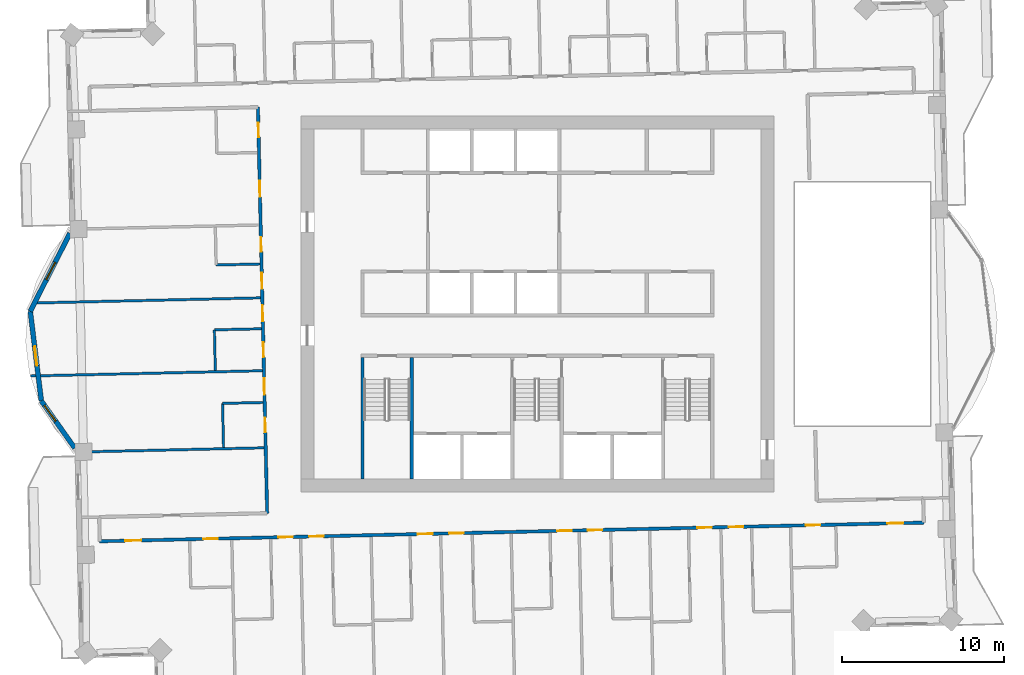
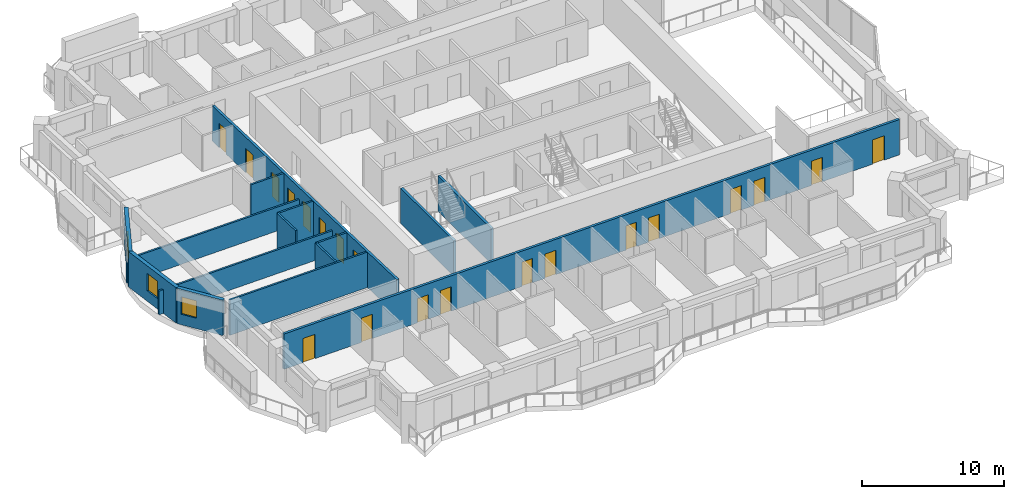
# One storey, part 7 of 17: 20 doors, 15 walls, 3 windows, 23 openings.
"""IFC4 building model written with IfcOpenShell, lengths in metres."""

from ifc_helpers import new_model, si_unit, direction, frame, frame_2d, origin, place, context, subcontext, project, spatial, rectangle, extrude, material, layer, layer_set, type_object, element, fill, save


model = new_model("IFC4")

# Units and contexts
model_context = context("Model", 3, precision=1e-05, world=origin(), true_north=direction((0.0, 1.0)))
body_context = subcontext(model_context, "Body", "Model", "MODEL_VIEW")
ifc_project = project(units=[si_unit("LENGTHUNIT", "METRE"), si_unit("AREAUNIT", "SQUARE_METRE"), si_unit("VOLUMEUNIT", "CUBIC_METRE"), si_unit("PLANEANGLEUNIT", "RADIAN"), si_unit("MASSUNIT", "GRAM", prefix="KILO")], contexts=[model_context])

# Site, building, storey
site_placement = place(None, origin())
site = spatial("IfcSite", under=ifc_project, at=site_placement, CompositionType="ELEMENT")
building_placement = place(site_placement, origin())
building = spatial("IfcBuilding", under=site, at=building_placement, Name="Mangrove Gate Tower", CompositionType="ELEMENT")
storey_placement = place(building_placement, frame((0.0, 0.0, 249.10009765625)))
storey = spatial("IfcBuildingStorey", under=building, at=storey_placement, Name="L63", CompositionType="ELEMENT", Elevation=249.10009765625)

# Walls
ifc_material_1 = material(Name="Concrete C60/75", Category="concrete")
ifc_layer_1 = layer(ifc_material_1, 0.199951171875)
ifc_layer_set_1 = layer_set([ifc_layer_1], Name="Core stair wall 200 C60/75")
wall_type_1 = type_object("IfcWallType", Name="Core stair wall 200 C60/75", PredefinedType="SHEAR", material=ifc_layer_set_1)
for number, where, z_axis, x_axis, name in (
    (1, (-10.800048828125, -10.800048828125, 0.0), (0.0, 0.0, 1.0), (0.0, 1.0, 0.0), "WALL-L63-CORE-9"),
    (2, (-7.75, -10.800048828125, 0.0), (0.0, 0.0, 1.0), (0.0, 1.0, 0.0), "WALL-L63-CORE-10"),
):
    element("IfcWall", number, at=place(storey_placement, frame(where, z_axis=z_axis, x_axis=x_axis)), inside=storey, type_object=wall_type_1, Name=name, PredefinedType="SHEAR", context=body_context, shape_type="SweptSolid", body=[
        extrude(rectangle(XDim=7.5, YDim=0.199951171875, at=frame_2d((3.75, 0.0))), origin(), (0.0, 0.0, 1.0), 3.0498046875),
    ])

# Wall, openings, doors
ifc_material_2 = material(Name="Gypsum board on steel stud, EI 60", Category="steel")
ifc_layer_2 = layer(ifc_material_2, 0.199951171875)
ifc_layer_set_2 = layer_set([ifc_layer_2], Name="Corridor wall EI 60")
wall_type_2 = type_object("IfcWallType", Name="Corridor wall EI 60", PredefinedType="PARTITIONING", material=ifc_layer_set_2)
wall_1_placement = place(storey_placement, frame((-27.01611328125, -14.64990234375, 0.0), z_axis=(0.0, 0.0, 1.0), x_axis=(0.999742874861, 0.022675629315, 0.0)))
wall_1 = element("IfcWall", 3, at=wall_1_placement, inside=storey, type_object=wall_type_2, Name="WALL-L63-032", PredefinedType="PARTITIONING", context=body_context, shape_type="SweptSolid", body=[
    extrude(rectangle(XDim=50.88330078125, YDim=0.199951171875, at=frame_2d((25.441650390625, 0.0))), origin(), (0.0, 0.0, 1.0), 3.0498046875),
])
opening_1_placement = place(wall_1_placement, frame((1.574951171875, 0.0, 0.0)))
opening_1 = element("IfcOpeningElement", 4, at=opening_1_placement, cuts=wall_1, Name="Opening AD", PredefinedType="OPENING", context=body_context, shape_type="SweptSolid", body=[
    extrude(rectangle(XDim=1.0, YDim=2.10009765625, at=frame_2d((0.5, 1.050048828125))), frame((0.0, 0.10986328125, 0.0), z_axis=(0.0, -1.0, 0.0), x_axis=(1.0, 0.0, 0.0)), (0.0, 0.0, 1.0), 0.219970703125),
])
opening_2_placement = place(wall_1_placement, frame((6.39990234375, 0.0, 0.0)))
opening_2 = element("IfcOpeningElement", 5, at=opening_2_placement, cuts=wall_1, Name="Opening SD", PredefinedType="OPENING", context=body_context, shape_type="SweptSolid", body=[
    extrude(rectangle(XDim=0.89990234375, YDim=2.10009765625, at=frame_2d((0.449951171875, 1.050048828125))), frame((0.0, 0.10986328125, 0.0), z_axis=(0.0, -1.0, 0.0), x_axis=(1.0, 0.0, 0.0)), (0.0, 0.0, 1.0), 0.219970703125),
])
opening_3_placement = place(wall_1_placement, frame((11.02490234375, 0.0, 0.0)))
opening_3 = element("IfcOpeningElement", 6, at=opening_3_placement, cuts=wall_1, Name="Opening BD", PredefinedType="OPENING", context=body_context, shape_type="SweptSolid", body=[
    extrude(rectangle(XDim=0.89990234375, YDim=2.10009765625, at=frame_2d((0.449951171875, 1.050048828125))), frame((0.0, 0.10986328125, 0.0), z_axis=(0.0, -1.0, 0.0), x_axis=(1.0, 0.0, 0.0)), (0.0, 0.0, 1.0), 0.219970703125),
])
opening_4_placement = place(wall_1_placement, frame((12.925048828125, 0.0, 0.0)))
opening_4 = element("IfcOpeningElement", 7, at=opening_4_placement, cuts=wall_1, Name="Opening BD", PredefinedType="OPENING", context=body_context, shape_type="SweptSolid", body=[
    extrude(rectangle(XDim=0.89990234375, YDim=2.10009765625, at=frame_2d((0.449951171875, 1.050048828125))), frame((0.0, 0.10986328125, 0.0), z_axis=(0.0, -1.0, 0.0), x_axis=(1.0, 0.0, 0.0)), (0.0, 0.0, 1.0), 0.219970703125),
])
opening_5_placement = place(wall_1_placement, frame((19.64990234375, 0.0, 0.0)))
opening_5 = element("IfcOpeningElement", 8, at=opening_5_placement, cuts=wall_1, Name="Opening BD", PredefinedType="OPENING", context=body_context, shape_type="SweptSolid", body=[
    extrude(rectangle(XDim=0.89990234375, YDim=2.10009765625, at=frame_2d((0.449951171875, 1.050048828125))), frame((0.0, 0.10986328125, 0.0), z_axis=(0.0, -1.0, 0.0), x_axis=(1.0, 0.0, 0.0)), (0.0, 0.0, 1.0), 0.219970703125),
])
opening_6_placement = place(wall_1_placement, frame((21.574951171875, 0.0, 0.0)))
opening_6 = element("IfcOpeningElement", 9, at=opening_6_placement, cuts=wall_1, Name="Opening BD", PredefinedType="OPENING", context=body_context, shape_type="SweptSolid", body=[
    extrude(rectangle(XDim=0.89990234375, YDim=2.10009765625, at=frame_2d((0.449951171875, 1.050048828125))), frame((0.0, 0.10986328125, 0.0), z_axis=(0.0, -1.0, 0.0), x_axis=(1.0, 0.0, 0.0)), (0.0, 0.0, 1.0), 0.219970703125),
])
opening_7_placement = place(wall_1_placement, frame((28.25, 0.0, 0.0)))
opening_7 = element("IfcOpeningElement", 10, at=opening_7_placement, cuts=wall_1, Name="Opening BD", PredefinedType="OPENING", context=body_context, shape_type="SweptSolid", body=[
    extrude(rectangle(XDim=0.89990234375, YDim=2.10009765625, at=frame_2d((0.449951171875, 1.050048828125))), frame((0.0, 0.10986328125, 0.0), z_axis=(0.0, -1.0, 0.0), x_axis=(1.0, 0.0, 0.0)), (0.0, 0.0, 1.0), 0.219970703125),
])
opening_8_placement = place(wall_1_placement, frame((30.125, 0.0, 0.0)))
opening_8 = element("IfcOpeningElement", 11, at=opening_8_placement, cuts=wall_1, Name="Opening BD", PredefinedType="OPENING", context=body_context, shape_type="SweptSolid", body=[
    extrude(rectangle(XDim=0.89990234375, YDim=2.10009765625, at=frame_2d((0.449951171875, 1.050048828125))), frame((0.0, 0.10986328125, 0.0), z_axis=(0.0, -1.0, 0.0), x_axis=(1.0, 0.0, 0.0)), (0.0, 0.0, 1.0), 0.219970703125),
])
opening_9_placement = place(wall_1_placement, frame((36.89990234375, 0.0, 0.0)))
opening_9 = element("IfcOpeningElement", 12, at=opening_9_placement, cuts=wall_1, Name="Opening BD", PredefinedType="OPENING", context=body_context, shape_type="SweptSolid", body=[
    extrude(rectangle(XDim=0.89990234375, YDim=2.10009765625, at=frame_2d((0.449951171875, 1.050048828125))), frame((0.0, 0.10986328125, 0.0), z_axis=(0.0, -1.0, 0.0), x_axis=(1.0, 0.0, 0.0)), (0.0, 0.0, 1.0), 0.219970703125),
])
opening_10_placement = place(wall_1_placement, frame((38.85009765625, 0.0, 0.0)))
opening_10 = element("IfcOpeningElement", 13, at=opening_10_placement, cuts=wall_1, Name="Opening BD", PredefinedType="OPENING", context=body_context, shape_type="SweptSolid", body=[
    extrude(rectangle(XDim=0.89990234375, YDim=2.10009765625, at=frame_2d((0.449951171875, 1.050048828125))), frame((0.0, 0.10986328125, 0.0), z_axis=(0.0, -1.0, 0.0), x_axis=(1.0, 0.0, 0.0)), (0.0, 0.0, 1.0), 0.219970703125),
])
opening_11_placement = place(wall_1_placement, frame((48.62890625, 0.0, 0.0)))
opening_11 = element("IfcOpeningElement", 14, at=opening_11_placement, cuts=wall_1, Name="Opening AD", PredefinedType="OPENING", context=body_context, shape_type="SweptSolid", body=[
    extrude(rectangle(XDim=1.0, YDim=2.10009765625, at=frame_2d((0.5, 1.050048828125))), frame((0.0, 0.10986328125, 0.0), z_axis=(0.0, -1.0, 0.0), x_axis=(1.0, 0.0, 0.0)), (0.0, 0.0, 1.0), 0.219970703125),
])
opening_12_placement = place(wall_1_placement, frame((43.60009765625, 0.0, 0.0)))
opening_12 = element("IfcOpeningElement", 15, at=opening_12_placement, cuts=wall_1, Name="Opening SD", PredefinedType="OPENING", context=body_context, shape_type="SweptSolid", body=[
    extrude(rectangle(XDim=0.89990234375, YDim=2.10009765625, at=frame_2d((0.449951171875, 1.050048828125))), frame((0.0, 0.10986328125, 0.0), z_axis=(0.0, -1.0, 0.0), x_axis=(1.0, 0.0, 0.0)), (0.0, 0.0, 1.0), 0.219970703125),
])
ifc_material_3 = material(Name="Timber door leaf", Category="wood")
door_type_1 = type_object("IfcDoorType", Name="Amenity door 1000", OperationType="SINGLE_SWING_LEFT", PredefinedType="DOOR", material=ifc_material_3)
door_1_placement = place(opening_1_placement, origin())
door_1 = element("IfcDoor", 16, at=door_1_placement, inside=storey, type_object=door_type_1, Name="DOOR-L63-LNG-c1a", OperationType="SINGLE_SWING_LEFT", OverallHeight=2.10009765625, OverallWidth=1.0, PredefinedType="DOOR", context=body_context, shape_type="SweptSolid", body=[
    extrude(rectangle(XDim=1.0, YDim=2.10009765625, at=frame_2d((0.5, 1.050048828125))), frame((0.0, 0.02490234375, 0.0), z_axis=(0.0, -1.0, 0.0), x_axis=(1.0, 0.0, 0.0)), (0.0, 0.0, 1.0), 0.050048828125),
])
fill(opening_1, door_1)
door_2_placement = place(opening_11_placement, origin())
door_2 = element("IfcDoor", 17, at=door_2_placement, inside=storey, type_object=door_type_1, Name="DOOR-L63-KIT-c3a", OperationType="SINGLE_SWING_RIGHT", OverallHeight=2.10009765625, OverallWidth=1.0, PredefinedType="DOOR", context=body_context, shape_type="SweptSolid", body=[
    extrude(rectangle(XDim=1.0, YDim=2.10009765625, at=frame_2d((0.5, 1.050048828125))), frame((0.0, 0.02490234375, 0.0), z_axis=(0.0, -1.0, 0.0), x_axis=(1.0, 0.0, 0.0)), (0.0, 0.0, 1.0), 0.050048828125),
])
fill(opening_11, door_2)
ifc_material_4 = material(Name="Timber door leaf", Category="wood")
door_type_2 = type_object("IfcDoorType", Name="Bedroom door 900", OperationType="SINGLE_SWING_LEFT", PredefinedType="DOOR", material=ifc_material_4)
door_3_placement = place(opening_3_placement, origin())
door_3 = element("IfcDoor", 18, at=door_3_placement, inside=storey, type_object=door_type_2, Name="DOOR-L63-BED-c101", OperationType="SINGLE_SWING_LEFT", OverallHeight=2.10009765625, OverallWidth=0.89990234375, PredefinedType="DOOR", context=body_context, shape_type="SweptSolid", body=[
    extrude(rectangle(XDim=0.89990234375, YDim=2.10009765625, at=frame_2d((0.449951171875, 1.050048828125))), frame((0.0, 0.02490234375, 0.0), z_axis=(0.0, -1.0, 0.0), x_axis=(1.0, 0.0, 0.0)), (0.0, 0.0, 1.0), 0.050048828125),
])
fill(opening_3, door_3)
door_4_placement = place(opening_4_placement, origin())
door_4 = element("IfcDoor", 19, at=door_4_placement, inside=storey, type_object=door_type_2, Name="DOOR-L63-BED-c102", OperationType="SINGLE_SWING_RIGHT", OverallHeight=2.10009765625, OverallWidth=0.89990234375, PredefinedType="DOOR", context=body_context, shape_type="SweptSolid", body=[
    extrude(rectangle(XDim=0.89990234375, YDim=2.10009765625, at=frame_2d((0.449951171875, 1.050048828125))), frame((0.0, 0.02490234375, 0.0), z_axis=(0.0, -1.0, 0.0), x_axis=(1.0, 0.0, 0.0)), (0.0, 0.0, 1.0), 0.050048828125),
])
fill(opening_4, door_4)
door_5_placement = place(opening_5_placement, origin())
door_5 = element("IfcDoor", 20, at=door_5_placement, inside=storey, type_object=door_type_2, Name="DOOR-L63-BED-c103", OperationType="SINGLE_SWING_LEFT", OverallHeight=2.10009765625, OverallWidth=0.89990234375, PredefinedType="DOOR", context=body_context, shape_type="SweptSolid", body=[
    extrude(rectangle(XDim=0.89990234375, YDim=2.10009765625, at=frame_2d((0.449951171875, 1.050048828125))), frame((0.0, 0.02490234375, 0.0), z_axis=(0.0, -1.0, 0.0), x_axis=(1.0, 0.0, 0.0)), (0.0, 0.0, 1.0), 0.050048828125),
])
fill(opening_5, door_5)
door_6_placement = place(opening_6_placement, origin())
door_6 = element("IfcDoor", 21, at=door_6_placement, inside=storey, type_object=door_type_2, Name="DOOR-L63-BED-c104", OperationType="SINGLE_SWING_RIGHT", OverallHeight=2.10009765625, OverallWidth=0.89990234375, PredefinedType="DOOR", context=body_context, shape_type="SweptSolid", body=[
    extrude(rectangle(XDim=0.89990234375, YDim=2.10009765625, at=frame_2d((0.449951171875, 1.050048828125))), frame((0.0, 0.02490234375, 0.0), z_axis=(0.0, -1.0, 0.0), x_axis=(1.0, 0.0, 0.0)), (0.0, 0.0, 1.0), 0.050048828125),
])
fill(opening_6, door_6)
door_7_placement = place(opening_7_placement, origin())
door_7 = element("IfcDoor", 22, at=door_7_placement, inside=storey, type_object=door_type_2, Name="DOOR-L63-BED-c205", OperationType="SINGLE_SWING_LEFT", OverallHeight=2.10009765625, OverallWidth=0.89990234375, PredefinedType="DOOR", context=body_context, shape_type="SweptSolid", body=[
    extrude(rectangle(XDim=0.89990234375, YDim=2.10009765625, at=frame_2d((0.449951171875, 1.050048828125))), frame((0.0, 0.02490234375, 0.0), z_axis=(0.0, -1.0, 0.0), x_axis=(1.0, 0.0, 0.0)), (0.0, 0.0, 1.0), 0.050048828125),
])
fill(opening_7, door_7)
door_8_placement = place(opening_8_placement, origin())
door_8 = element("IfcDoor", 23, at=door_8_placement, inside=storey, type_object=door_type_2, Name="DOOR-L63-BED-c206", OperationType="SINGLE_SWING_RIGHT", OverallHeight=2.10009765625, OverallWidth=0.89990234375, PredefinedType="DOOR", context=body_context, shape_type="SweptSolid", body=[
    extrude(rectangle(XDim=0.89990234375, YDim=2.10009765625, at=frame_2d((0.449951171875, 1.050048828125))), frame((0.0, 0.02490234375, 0.0), z_axis=(0.0, -1.0, 0.0), x_axis=(1.0, 0.0, 0.0)), (0.0, 0.0, 1.0), 0.050048828125),
])
fill(opening_8, door_8)
door_9_placement = place(opening_9_placement, origin())
door_9 = element("IfcDoor", 24, at=door_9_placement, inside=storey, type_object=door_type_2, Name="DOOR-L63-BED-c207", OperationType="SINGLE_SWING_LEFT", OverallHeight=2.10009765625, OverallWidth=0.89990234375, PredefinedType="DOOR", context=body_context, shape_type="SweptSolid", body=[
    extrude(rectangle(XDim=0.89990234375, YDim=2.10009765625, at=frame_2d((0.449951171875, 1.050048828125))), frame((0.0, 0.02490234375, 0.0), z_axis=(0.0, -1.0, 0.0), x_axis=(1.0, 0.0, 0.0)), (0.0, 0.0, 1.0), 0.050048828125),
])
fill(opening_9, door_9)
door_10_placement = place(opening_10_placement, origin())
door_10 = element("IfcDoor", 25, at=door_10_placement, inside=storey, type_object=door_type_2, Name="DOOR-L63-BED-c308", OperationType="SINGLE_SWING_RIGHT", OverallHeight=2.10009765625, OverallWidth=0.89990234375, PredefinedType="DOOR", context=body_context, shape_type="SweptSolid", body=[
    extrude(rectangle(XDim=0.89990234375, YDim=2.10009765625, at=frame_2d((0.449951171875, 1.050048828125))), frame((0.0, 0.02490234375, 0.0), z_axis=(0.0, -1.0, 0.0), x_axis=(1.0, 0.0, 0.0)), (0.0, 0.0, 1.0), 0.050048828125),
])
fill(opening_10, door_10)
ifc_material_5 = material(Name="Timber door leaf", Category="wood")
door_type_3 = type_object("IfcDoorType", Name="Service room door 900", OperationType="SINGLE_SWING_LEFT", PredefinedType="DOOR", material=ifc_material_5)
door_11_placement = place(opening_2_placement, origin())
door_11 = element("IfcDoor", 26, at=door_11_placement, inside=storey, type_object=door_type_3, Name="DOOR-L63-AWC-c1a", OperationType="SINGLE_SWING_LEFT", OverallHeight=2.10009765625, OverallWidth=0.89990234375, PredefinedType="DOOR", context=body_context, shape_type="SweptSolid", body=[
    extrude(rectangle(XDim=0.89990234375, YDim=2.10009765625, at=frame_2d((0.449951171875, 1.050048828125))), frame((0.0, 0.02490234375, 0.0), z_axis=(0.0, -1.0, 0.0), x_axis=(1.0, 0.0, 0.0)), (0.0, 0.0, 1.0), 0.050048828125),
])
fill(opening_2, door_11)
door_12_placement = place(opening_12_placement, origin())
door_12 = element("IfcDoor", 27, at=door_12_placement, inside=storey, type_object=door_type_3, Name="DOOR-L63-LDY-c3a", OperationType="SINGLE_SWING_RIGHT", OverallHeight=2.10009765625, OverallWidth=0.89990234375, PredefinedType="DOOR", context=body_context, shape_type="SweptSolid", body=[
    extrude(rectangle(XDim=0.89990234375, YDim=2.10009765625, at=frame_2d((0.449951171875, 1.050048828125))), frame((0.0, 0.02490234375, 0.0), z_axis=(0.0, -1.0, 0.0), x_axis=(1.0, 0.0, 0.0)), (0.0, 0.0, 1.0), 0.050048828125),
])
fill(opening_12, door_12)

wall_2_placement = place(storey_placement, frame((-16.677978515625, -12.9189453125, 0.0), z_axis=(0.0, 0.0, 1.0), x_axis=(-0.022696191528, 0.999742408268, 0.0)))
wall_2 = element("IfcWall", 28, at=wall_2_placement, inside=storey, type_object=wall_type_2, Name="WALL-L63-033", PredefinedType="PARTITIONING", context=body_context, shape_type="SweptSolid", body=[
    extrude(rectangle(XDim=25.07421875, YDim=0.199951171875, at=frame_2d((12.537109375, 0.0))), origin(), (0.0, 0.0, 1.0), 3.0498046875),
])
opening_13_placement = place(wall_2_placement, frame((19.537109375, 0.0, 0.0)))
opening_13 = element("IfcOpeningElement", 29, at=opening_13_placement, cuts=wall_2, Name="Opening AD", PredefinedType="OPENING", context=body_context, shape_type="SweptSolid", body=[
    extrude(rectangle(XDim=1.0, YDim=2.10009765625, at=frame_2d((0.5, 1.050048828125))), frame((0.0, 0.10986328125, 0.0), z_axis=(0.0, -1.0, 0.0), x_axis=(1.0, 0.0, 0.0)), (0.0, 0.0, 1.0), 0.219970703125),
])
opening_14_placement = place(wall_2_placement, frame((23.22412109375, 0.0, 0.0)))
opening_14 = element("IfcOpeningElement", 30, at=opening_14_placement, cuts=wall_2, Name="Opening SD", PredefinedType="OPENING", context=body_context, shape_type="SweptSolid", body=[
    extrude(rectangle(XDim=0.89990234375, YDim=2.10009765625, at=frame_2d((0.449951171875, 1.050048828125))), frame((0.0, 0.10986328125, 0.0), z_axis=(0.0, -1.0, 0.0), x_axis=(1.0, 0.0, 0.0)), (0.0, 0.0, 1.0), 0.219970703125),
])
opening_15_placement = place(wall_2_placement, frame((13.84912109375, 0.0, 0.0)))
opening_15 = element("IfcOpeningElement", 31, at=opening_15_placement, cuts=wall_2, Name="Opening AD", PredefinedType="OPENING", context=body_context, shape_type="SweptSolid", body=[
    extrude(rectangle(XDim=1.0, YDim=2.10009765625, at=frame_2d((0.5, 1.050048828125))), frame((0.0, 0.10986328125, 0.0), z_axis=(0.0, -1.0, 0.0), x_axis=(1.0, 0.0, 0.0)), (0.0, 0.0, 1.0), 0.219970703125),
])
opening_16_placement = place(wall_2_placement, frame((16.14892578125, 0.0, 0.0)))
opening_16 = element("IfcOpeningElement", 32, at=opening_16_placement, cuts=wall_2, Name="Opening SD", PredefinedType="OPENING", context=body_context, shape_type="SweptSolid", body=[
    extrude(rectangle(XDim=0.89990234375, YDim=2.10009765625, at=frame_2d((0.449951171875, 1.050048828125))), frame((0.0, 0.10986328125, 0.0), z_axis=(0.0, -1.0, 0.0), x_axis=(1.0, 0.0, 0.0)), (0.0, 0.0, 1.0), 0.219970703125),
])
opening_17_placement = place(wall_2_placement, frame((11.84912109375, 0.0, 0.0)))
opening_17 = element("IfcOpeningElement", 33, at=opening_17_placement, cuts=wall_2, Name="Opening AD", PredefinedType="OPENING", context=body_context, shape_type="SweptSolid", body=[
    extrude(rectangle(XDim=1.0, YDim=2.10009765625, at=frame_2d((0.5, 1.050048828125))), frame((0.0, 0.10986328125, 0.0), z_axis=(0.0, -1.0, 0.0), x_axis=(1.0, 0.0, 0.0)), (0.0, 0.0, 1.0), 0.219970703125),
])
opening_18_placement = place(wall_2_placement, frame((9.64892578125, 0.0, 0.0)))
opening_18 = element("IfcOpeningElement", 34, at=opening_18_placement, cuts=wall_2, Name="Opening SD", PredefinedType="OPENING", context=body_context, shape_type="SweptSolid", body=[
    extrude(rectangle(XDim=0.89990234375, YDim=2.10009765625, at=frame_2d((0.449951171875, 1.050048828125))), frame((0.0, 0.10986328125, 0.0), z_axis=(0.0, -1.0, 0.0), x_axis=(1.0, 0.0, 0.0)), (0.0, 0.0, 1.0), 0.219970703125),
])
opening_19_placement = place(wall_2_placement, frame((7.323974609375, 0.0, 0.0)))
opening_19 = element("IfcOpeningElement", 35, at=opening_19_placement, cuts=wall_2, Name="Opening AD", PredefinedType="OPENING", context=body_context, shape_type="SweptSolid", body=[
    extrude(rectangle(XDim=1.0, YDim=2.10009765625, at=frame_2d((0.5, 1.050048828125))), frame((0.0, 0.10986328125, 0.0), z_axis=(0.0, -1.0, 0.0), x_axis=(1.0, 0.0, 0.0)), (0.0, 0.0, 1.0), 0.219970703125),
])
opening_20_placement = place(wall_2_placement, frame((4.9990234375, 0.0, 0.0)))
opening_20 = element("IfcOpeningElement", 36, at=opening_20_placement, cuts=wall_2, Name="Opening SD", PredefinedType="OPENING", context=body_context, shape_type="SweptSolid", body=[
    extrude(rectangle(XDim=0.89990234375, YDim=2.10009765625, at=frame_2d((0.449951171875, 1.050048828125))), frame((0.0, 0.10986328125, 0.0), z_axis=(0.0, -1.0, 0.0), x_axis=(1.0, 0.0, 0.0)), (0.0, 0.0, 1.0), 0.219970703125),
])
door_13_placement = place(opening_13_placement, origin())
door_13 = element("IfcDoor", 37, at=door_13_placement, inside=storey, type_object=door_type_1, Name="DOOR-L63-LNG-c5a", OperationType="SINGLE_SWING_LEFT", OverallHeight=2.10009765625, OverallWidth=1.0, PredefinedType="DOOR", context=body_context, shape_type="SweptSolid", body=[
    extrude(rectangle(XDim=1.0, YDim=2.10009765625, at=frame_2d((0.5, 1.050048828125))), frame((0.0, 0.02490234375, 0.0), z_axis=(0.0, -1.0, 0.0), x_axis=(1.0, 0.0, 0.0)), (0.0, 0.0, 1.0), 0.050048828125),
])
fill(opening_13, door_13)
door_14_placement = place(opening_15_placement, origin())
door_14 = element("IfcDoor", 38, at=door_14_placement, inside=storey, type_object=door_type_1, Name="DOOR-L63-KIT-c5a", OperationType="SINGLE_SWING_RIGHT", OverallHeight=2.10009765625, OverallWidth=1.0, PredefinedType="DOOR", context=body_context, shape_type="SweptSolid", body=[
    extrude(rectangle(XDim=1.0, YDim=2.10009765625, at=frame_2d((0.5, 1.050048828125))), frame((0.0, 0.02490234375, 0.0), z_axis=(0.0, -1.0, 0.0), x_axis=(1.0, 0.0, 0.0)), (0.0, 0.0, 1.0), 0.050048828125),
])
fill(opening_15, door_14)
door_15_placement = place(opening_17_placement, origin())
door_15 = element("IfcDoor", 39, at=door_15_placement, inside=storey, type_object=door_type_1, Name="DOOR-L63-KIT-c5b", OperationType="SINGLE_SWING_LEFT", OverallHeight=2.10009765625, OverallWidth=1.0, PredefinedType="DOOR", context=body_context, shape_type="SweptSolid", body=[
    extrude(rectangle(XDim=1.0, YDim=2.10009765625, at=frame_2d((0.5, 1.050048828125))), frame((0.0, 0.02490234375, 0.0), z_axis=(0.0, -1.0, 0.0), x_axis=(1.0, 0.0, 0.0)), (0.0, 0.0, 1.0), 0.050048828125),
])
fill(opening_17, door_15)
door_16_placement = place(opening_19_placement, origin())
door_16 = element("IfcDoor", 40, at=door_16_placement, inside=storey, type_object=door_type_1, Name="DOOR-L63-KIT-c5c", OperationType="SINGLE_SWING_RIGHT", OverallHeight=2.10009765625, OverallWidth=1.0, PredefinedType="DOOR", context=body_context, shape_type="SweptSolid", body=[
    extrude(rectangle(XDim=1.0, YDim=2.10009765625, at=frame_2d((0.5, 1.050048828125))), frame((0.0, 0.02490234375, 0.0), z_axis=(0.0, -1.0, 0.0), x_axis=(1.0, 0.0, 0.0)), (0.0, 0.0, 1.0), 0.050048828125),
])
fill(opening_19, door_16)
door_17_placement = place(opening_14_placement, origin())
door_17 = element("IfcDoor", 41, at=door_17_placement, inside=storey, type_object=door_type_3, Name="DOOR-L63-LDY-c5a", OperationType="SINGLE_SWING_LEFT", OverallHeight=2.10009765625, OverallWidth=0.89990234375, PredefinedType="DOOR", context=body_context, shape_type="SweptSolid", body=[
    extrude(rectangle(XDim=0.89990234375, YDim=2.10009765625, at=frame_2d((0.449951171875, 1.050048828125))), frame((0.0, 0.02490234375, 0.0), z_axis=(0.0, -1.0, 0.0), x_axis=(1.0, 0.0, 0.0)), (0.0, 0.0, 1.0), 0.050048828125),
])
fill(opening_14, door_17)
door_18_placement = place(opening_16_placement, origin())
door_18 = element("IfcDoor", 42, at=door_18_placement, inside=storey, type_object=door_type_3, Name="DOOR-L63-WC-c5a", OperationType="SINGLE_SWING_RIGHT", OverallHeight=2.10009765625, OverallWidth=0.89990234375, PredefinedType="DOOR", context=body_context, shape_type="SweptSolid", body=[
    extrude(rectangle(XDim=0.89990234375, YDim=2.10009765625, at=frame_2d((0.449951171875, 1.050048828125))), frame((0.0, 0.02490234375, 0.0), z_axis=(0.0, -1.0, 0.0), x_axis=(1.0, 0.0, 0.0)), (0.0, 0.0, 1.0), 0.050048828125),
])
fill(opening_16, door_18)
door_19_placement = place(opening_18_placement, origin())
door_19 = element("IfcDoor", 43, at=door_19_placement, inside=storey, type_object=door_type_3, Name="DOOR-L63-AWC-c5a", OperationType="SINGLE_SWING_LEFT", OverallHeight=2.10009765625, OverallWidth=0.89990234375, PredefinedType="DOOR", context=body_context, shape_type="SweptSolid", body=[
    extrude(rectangle(XDim=0.89990234375, YDim=2.10009765625, at=frame_2d((0.449951171875, 1.050048828125))), frame((0.0, 0.02490234375, 0.0), z_axis=(0.0, -1.0, 0.0), x_axis=(1.0, 0.0, 0.0)), (0.0, 0.0, 1.0), 0.050048828125),
])
fill(opening_18, door_19)
door_20_placement = place(opening_20_placement, origin())
door_20 = element("IfcDoor", 44, at=door_20_placement, inside=storey, type_object=door_type_3, Name="DOOR-L63-LDY-c5b", OperationType="SINGLE_SWING_RIGHT", OverallHeight=2.10009765625, OverallWidth=0.89990234375, PredefinedType="DOOR", context=body_context, shape_type="SweptSolid", body=[
    extrude(rectangle(XDim=0.89990234375, YDim=2.10009765625, at=frame_2d((0.449951171875, 1.050048828125))), frame((0.0, 0.02490234375, 0.0), z_axis=(0.0, -1.0, 0.0), x_axis=(1.0, 0.0, 0.0)), (0.0, 0.0, 1.0), 0.050048828125),
])
fill(opening_20, door_20)

# Wall, opening, window
ifc_material_6 = material(Name="Limestone", Category="masonry")
ifc_layer_3 = layer(ifc_material_6, 0.0400390625, Name="Limestone cladding")
ifc_material_7 = material(Name="Ventilated air gap")
ifc_layer_4 = layer(ifc_material_7, 0.0400390625, Name="Ventilated cavity")
ifc_material_8 = material(Name="Mineral wool insulation")
ifc_layer_5 = layer(ifc_material_8, 0.06005859375, Name="Insulation")
ifc_material_9 = material(Name="Breather membrane")
ifc_layer_6 = layer(ifc_material_9, 0.001953125, Name="Breather membrane")
ifc_material_10 = material(Name="Concrete C20/25 blockwork", Category="masonry")
ifc_layer_7 = layer(ifc_material_10, 0.14990234375, Name="Blockwork backing wall")
ifc_material_11 = material(Name="Gypsum plaster")
ifc_layer_8 = layer(ifc_material_11, 0.008056640625, Name="Internal plaster")
ifc_layer_set_3 = layer_set([ifc_layer_3, ifc_layer_4, ifc_layer_5, ifc_layer_6, ifc_layer_7, ifc_layer_8], Name="External wall 300 limestone cladding")
wall_type_3 = type_object("IfcWallType", Name="External wall 300 limestone cladding", PredefinedType="SOLIDWALL", material=ifc_layer_set_3)
wall_3_placement = place(storey_placement, frame((-28.85693359375, 4.363037109375, 0.0), z_axis=(0.0, 0.0, 1.0), x_axis=(-0.45277700056, -0.891623792731, 0.0)))
wall_3 = element("IfcWall", 45, at=wall_3_placement, inside=storey, type_object=wall_type_3, Name="WALL-L63-W9f1", PredefinedType="SOLIDWALL", context=body_context, shape_type="SweptSolid", body=[
    extrude(rectangle(XDim=5.39794921875, YDim=0.300048828125, at=frame_2d((2.698974609375, 0.0))), origin(), (0.0, 0.0, 1.0), 3.0498046875),
])
opening_21_placement = place(wall_3_placement, frame((2.008056640625, 0.0, 0.89990234375)))
opening_21 = element("IfcOpeningElement", 46, at=opening_21_placement, cuts=wall_3, Name="Opening W1", PredefinedType="OPENING", context=body_context, shape_type="SweptSolid", body=[
    extrude(rectangle(XDim=1.199951171875, YDim=1.5, at=frame_2d((0.60009765625, 0.75))), frame((0.0, 0.159912109375, 0.0), z_axis=(0.0, -1.0, 0.0), x_axis=(1.0, 0.0, 0.0)), (0.0, 0.0, 1.0), 0.320068359375),
])
ifc_material_12 = material(Name="Aluminium frame with double-glazed low-e glass", Category="aluminium")
window_type = type_object("IfcWindowType", Name="Side lite 1200x1500", PartitioningType="SINGLE_PANEL", PredefinedType="WINDOW", material=ifc_material_12)
window_1_placement = place(opening_21_placement, origin())
window_1 = element("IfcWindow", 47, at=window_1_placement, inside=storey, type_object=window_type, Name="WIN-L63-W9f1", OverallHeight=1.5, OverallWidth=1.199951171875, PartitioningType="SINGLE_PANEL", PredefinedType="WINDOW", context=body_context, shape_type="SweptSolid", body=[
    extrude(rectangle(XDim=1.199951171875, YDim=1.5, at=frame_2d((0.60009765625, 0.75))), frame((0.0, 0.030029296875, 0.0), z_axis=(0.0, -1.0, 0.0), x_axis=(1.0, 0.0, 0.0)), (0.0, 0.0, 1.0), 0.06005859375),
])
fill(opening_21, window_1)

wall_4_placement = place(storey_placement, frame((-31.301025390625, -0.449951171875, 0.0), z_axis=(0.0, 0.0, 1.0), x_axis=(0.122163831021, -0.992509948761, 0.0)))
wall_4 = element("IfcWall", 48, at=wall_4_placement, inside=storey, type_object=wall_type_3, Name="WALL-L63-W9f2", PredefinedType="SOLIDWALL", context=body_context, shape_type="SweptSolid", body=[
    extrude(rectangle(XDim=5.57373046875, YDim=0.300048828125, at=frame_2d((2.786865234375, 0.0))), origin(), (0.0, 0.0, 1.0), 3.0498046875),
])
opening_22_placement = place(wall_4_placement, frame((2.18701171875, 0.0, 0.89990234375)))
opening_22 = element("IfcOpeningElement", 49, at=opening_22_placement, cuts=wall_4, Name="Opening W1", PredefinedType="OPENING", context=body_context, shape_type="SweptSolid", body=[
    extrude(rectangle(XDim=1.199951171875, YDim=1.5, at=frame_2d((0.60009765625, 0.75))), frame((0.0, 0.159912109375, 0.0), z_axis=(0.0, -1.0, 0.0), x_axis=(1.0, 0.0, 0.0)), (0.0, 0.0, 1.0), 0.320068359375),
])
window_2_placement = place(opening_22_placement, origin())
window_2 = element("IfcWindow", 50, at=window_2_placement, inside=storey, type_object=window_type, Name="WIN-L63-W9f2", OverallHeight=1.5, OverallWidth=1.199951171875, PartitioningType="SINGLE_PANEL", PredefinedType="WINDOW", context=body_context, shape_type="SweptSolid", body=[
    extrude(rectangle(XDim=1.199951171875, YDim=1.5, at=frame_2d((0.60009765625, 0.75))), frame((0.0, 0.030029296875, 0.0), z_axis=(0.0, -1.0, 0.0), x_axis=(1.0, 0.0, 0.0)), (0.0, 0.0, 1.0), 0.06005859375),
])
fill(opening_22, window_2)

wall_5_placement = place(storey_placement, frame((-30.6201171875, -5.98193359375, 0.0), z_axis=(0.0, 0.0, 1.0), x_axis=(0.578108441206, -0.815959943996, 0.0)))
wall_5 = element("IfcWall", 51, at=wall_5_placement, inside=storey, type_object=wall_type_3, Name="WALL-L63-W9f3", PredefinedType="SOLIDWALL", context=body_context, shape_type="SweptSolid", body=[
    extrude(rectangle(XDim=3.56884765625, YDim=0.300048828125, at=frame_2d((1.784423828125, 0.0))), origin(), (0.0, 0.0, 1.0), 3.0498046875),
])
opening_23_placement = place(wall_5_placement, frame((0.337890625, 0.0, 0.89990234375)))
opening_23 = element("IfcOpeningElement", 52, at=opening_23_placement, cuts=wall_5, Name="Opening W1", PredefinedType="OPENING", context=body_context, shape_type="SweptSolid", body=[
    extrude(rectangle(XDim=1.199951171875, YDim=1.5, at=frame_2d((0.60009765625, 0.75))), frame((0.0, 0.159912109375, 0.0), z_axis=(0.0, -1.0, 0.0), x_axis=(1.0, 0.0, 0.0)), (0.0, 0.0, 1.0), 0.320068359375),
])
window_3_placement = place(opening_23_placement, origin())
window_3 = element("IfcWindow", 53, at=window_3_placement, inside=storey, type_object=window_type, Name="WIN-L63-W9f3", OverallHeight=1.5, OverallWidth=1.199951171875, PartitioningType="SINGLE_PANEL", PredefinedType="WINDOW", context=body_context, shape_type="SweptSolid", body=[
    extrude(rectangle(XDim=1.199951171875, YDim=1.5, at=frame_2d((0.60009765625, 0.75))), frame((0.0, 0.030029296875, 0.0), z_axis=(0.0, -1.0, 0.0), x_axis=(1.0, 0.0, 0.0)), (0.0, 0.0, 1.0), 0.06005859375),
])
fill(opening_23, window_3)

# Walls
ifc_material_13 = material(Name="Gypsum board on steel stud, EI 60", Category="steel")
ifc_layer_9 = layer(ifc_material_13, 0.14990234375)
ifc_layer_set_4 = layer_set([ifc_layer_9], Name="Party wall 150 EI 60")
wall_type_4 = type_object("IfcWallType", Name="Party wall 150 EI 60", PredefinedType="PARTITIONING", material=ifc_layer_set_4)
wall_6_placement = place(storey_placement, frame((-28.240966796875, -9.135986328125, 0.0), z_axis=(0.0, 0.0, 1.0), x_axis=(0.999742533279, 0.022690684282, 0.0)))
element("IfcWall", 54, at=wall_6_placement, inside=storey, type_object=wall_type_4, Name="WALL-L63-039", PredefinedType="PARTITIONING", context=body_context, shape_type="SweptSolid", body=[
    extrude(rectangle(XDim=11.372802734375, YDim=0.14990234375, at=frame_2d((5.6865234375, 0.0))), origin(), (0.0, 0.0, 1.0), 3.0498046875),
])
wall_7_placement = place(storey_placement, frame((-19.37109375, -8.85498046875, 0.0), z_axis=(0.0, 0.0, 1.0), x_axis=(-0.022760079124, 0.999740955847, 0.0)))
element("IfcWall", 55, at=wall_7_placement, inside=storey, type_object=wall_type_4, Name="WALL-L63-040", PredefinedType="PARTITIONING", context=body_context, shape_type="SweptSolid", body=[
    extrude(rectangle(XDim=2.724609375, YDim=0.14990234375, at=frame_2d((1.3623046875, 0.0))), origin(), (0.0, 0.0, 1.0), 3.0498046875),
])
wall_8_placement = place(storey_placement, frame((-19.43408203125, -6.135986328125, 0.0), z_axis=(0.0, 0.0, 1.0), x_axis=(0.999741230352, 0.02274801823, 0.0)))
element("IfcWall", 56, at=wall_8_placement, inside=storey, type_object=wall_type_4, Name="WALL-L63-041", PredefinedType="PARTITIONING", context=body_context, shape_type="SweptSolid", body=[
    extrude(rectangle(XDim=2.500732421875, YDim=0.14990234375, at=frame_2d((1.25048828125, 0.0))), origin(), (0.0, 0.0, 1.0), 3.0498046875),
])
wall_9_placement = place(storey_placement, frame((-19.87890625, -4.114990234375, 0.0), z_axis=(0.0, 0.0, 1.0), x_axis=(-0.022629142889, 0.99974392816, 0.0)))
element("IfcWall", 57, at=wall_9_placement, inside=storey, type_object=wall_type_4, Name="WALL-L63-042", PredefinedType="PARTITIONING", context=body_context, shape_type="SweptSolid", body=[
    extrude(rectangle(XDim=2.524658203125, YDim=0.14990234375, at=frame_2d((1.26220703125, 0.0))), origin(), (0.0, 0.0, 1.0), 3.0498046875),
])
wall_10_placement = place(storey_placement, frame((-31.2890625, -4.444091796875, 0.0), z_axis=(0.0, 0.0, 1.0), x_axis=(0.99974382177, 0.022633842623, 0.0)))
element("IfcWall", 58, at=wall_10_placement, inside=storey, type_object=wall_type_4, Name="WALL-L63-043", PredefinedType="PARTITIONING", context=body_context, shape_type="SweptSolid", body=[
    extrude(rectangle(XDim=14.313720703125, YDim=0.14990234375, at=frame_2d((7.15673828125, 0.0))), origin(), (0.0, 0.0, 1.0), 2.0498046875),
])
wall_11_placement = place(storey_placement, frame((-19.93701171875, -1.595947265625, 0.0), z_axis=(0.0, 0.0, 1.0), x_axis=(0.999741574676, 0.022732880677, 0.0)))
element("IfcWall", 59, at=wall_11_placement, inside=storey, type_object=wall_type_4, Name="WALL-L63-044", PredefinedType="PARTITIONING", context=body_context, shape_type="SweptSolid", body=[
    extrude(rectangle(XDim=2.899658203125, YDim=0.14990234375, at=frame_2d((1.44970703125, 0.0))), origin(), (0.0, 0.0, 1.0), 3.0498046875),
])
wall_12_placement = place(storey_placement, frame((-31.31298828125, 0.055908203125, 0.0), z_axis=(0.0, 0.0, 1.0), x_axis=(0.999742561055, 0.022689460464, 0.0)))
element("IfcWall", 60, at=wall_12_placement, inside=storey, type_object=wall_type_4, Name="WALL-L63-045", PredefinedType="PARTITIONING", context=body_context, shape_type="SweptSolid", body=[
    extrude(rectangle(XDim=14.235595703125, YDim=0.14990234375, at=frame_2d((7.11767578125, 0.0))), origin(), (0.0, 0.0, 1.0), 2.0498046875),
])
wall_13_placement = place(storey_placement, frame((-19.827880859375, 2.407958984375, 0.0), z_axis=(0.0, 0.0, 1.0), x_axis=(0.99974458177, 0.022600248254, 0.0)))
element("IfcWall", 61, at=wall_13_placement, inside=storey, type_object=wall_type_4, Name="WALL-L63-046", PredefinedType="PARTITIONING", context=body_context, shape_type="SweptSolid", body=[
    extrude(rectangle(XDim=2.70068359375, YDim=0.14990234375, at=frame_2d((1.350341796875, 0.0))), origin(), (0.0, 0.0, 1.0), 3.0498046875),
])

save(model, "model.ifc")
